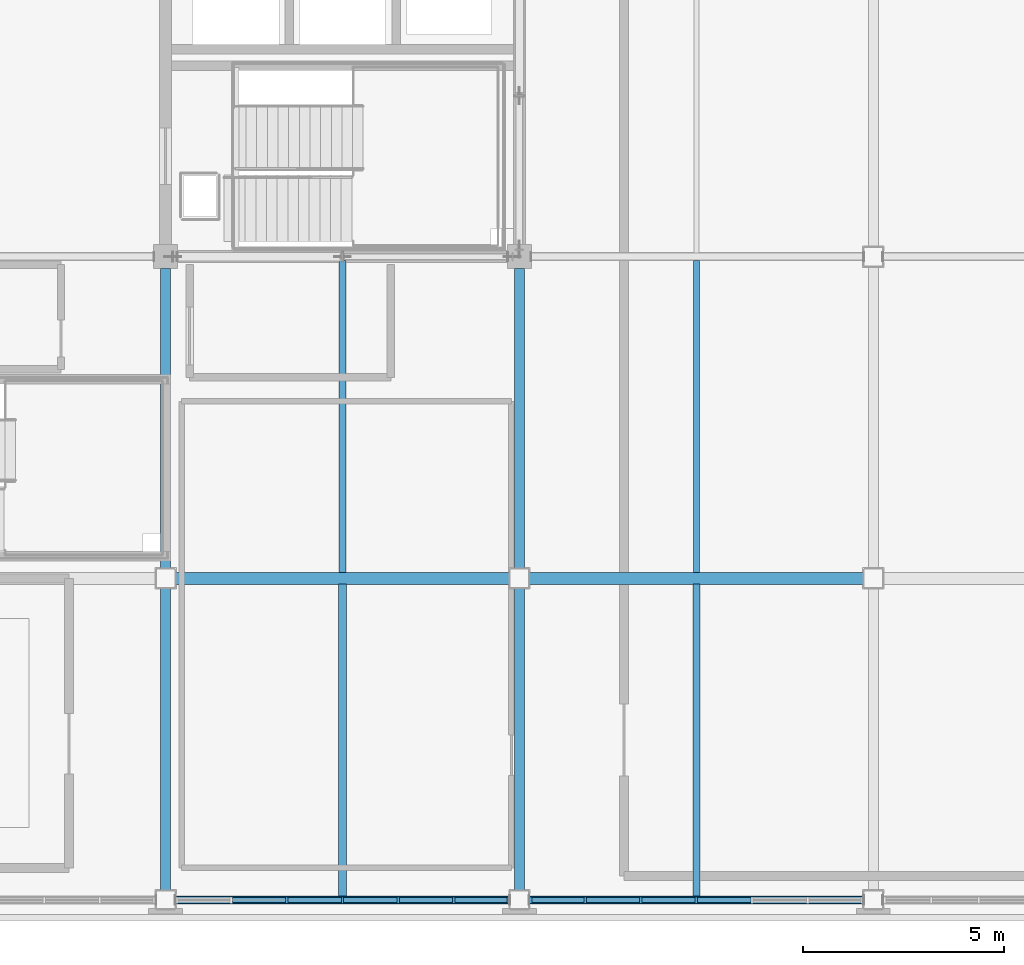
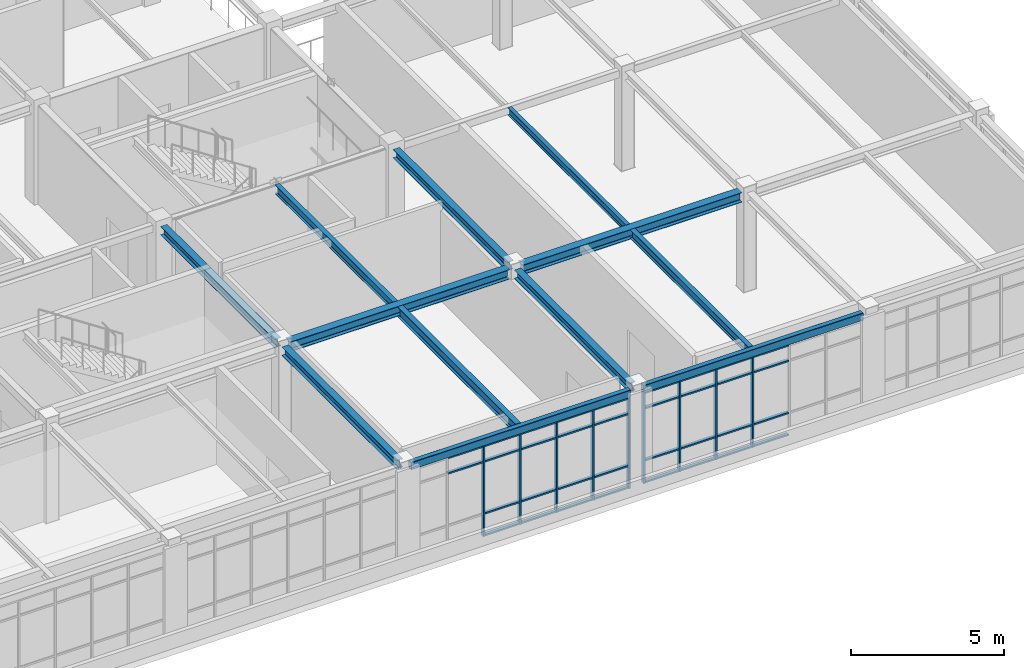
# One storey, part 6 of 45: 43 members, 12 beams, 2 elements without a shape of their own.
"""IFC4 building model written with IfcOpenShell, lengths in metres."""

from ifc_helpers import new_model, si_unit, direction, frame, origin, origin_2d, place, context, subcontext, project, spatial, rectangle, hollow_rectangle, i_section, extrude, material, material_profile, profile_set, type_object, element, aggregate, save


model = new_model("IFC4")

# Units and contexts
model_context = context("Model", 3, precision=1e-05, world=origin(), true_north=direction((0.0, 1.0)))
body_context = subcontext(model_context, "Body", "Model", "MODEL_VIEW")
ifc_project = project(units=[si_unit("LENGTHUNIT", "METRE"), si_unit("AREAUNIT", "SQUARE_METRE"), si_unit("VOLUMEUNIT", "CUBIC_METRE"), si_unit("PLANEANGLEUNIT", "RADIAN"), si_unit("MASSUNIT", "GRAM", prefix="KILO")], contexts=[model_context])

# Site, building, storey
site_placement = place(None, origin())
site = spatial("IfcSite", under=ifc_project, at=site_placement, CompositionType="ELEMENT")
building_placement = place(site_placement, origin())
building = spatial("IfcBuilding", under=site, at=building_placement, Name="Zhaolan Boulevard Law Courts", CompositionType="ELEMENT")
storey_placement = place(building_placement, frame((0.0, 0.0, 24.60009765625)))
storey = spatial("IfcBuildingStorey", under=building, at=storey_placement, Name="L05", CompositionType="ELEMENT", Elevation=24.60009765625)

# Curtain wall, members
ifc_material_1 = material(Name="Thermally broken aluminium and low-E glazing", Category="aluminium")
curtain_wall_type_1 = type_object("IfcCurtainWallType", Name="CURTAIN WALL M12", PredefinedType="USERDEFINED", material=ifc_material_1)
curtain_wall_1_placement = place(storey_placement, origin())
curtain_wall_1 = element("IfcCurtainWall", 1, at=curtain_wall_1_placement, inside=storey, type_object=curtain_wall_type_1, Name="Curtain Wall CW-L05-204", ObjectType="CURTAIN WALL", PredefinedType="USERDEFINED")
ifc_material_2 = material(Name="Fluorocarbon-coated aluminium 6063-T6", Category="aluminium")
ifc_material_profile_1 = material_profile(ifc_material_2, rectangle(XDim=0.159912109375, YDim=0.06005859375, at=origin_2d()), Name="AL60x160")
ifc_profile_set_1 = profile_set([ifc_material_profile_1], Name="Fluorocarbon-coated aluminium 6063-T6")
member_type_1 = type_object("IfcMemberType", Name="CWMULLION 60X160", PredefinedType="MULLION", material=ifc_profile_set_1)
member_1_placement = place(storey_placement, frame((20.617431640625, 30.0, 0.0), z_axis=(0.0, 0.0, 1.0), x_axis=(0.0, 1.0, 0.0)))
member_1 = element("IfcMember", 2, at=member_1_placement, type_object=member_type_1, Name="CW-L05-204 mullion 3", PredefinedType="MULLION", context=body_context, shape_type="SweptSolid", body=[
    extrude(rectangle(XDim=0.159912109375, YDim=0.06005859375, at=origin_2d()), origin(), (0.0, 0.0, 1.0), 3.6328125),
])
member_2_placement = place(storey_placement, frame((22.0, 30.0, 0.0), z_axis=(0.0, 0.0, 1.0), x_axis=(0.0, 1.0, 0.0)))
member_2 = element("IfcMember", 3, at=member_2_placement, type_object=member_type_1, Name="CW-L05-204 mullion 4", PredefinedType="MULLION", context=body_context, shape_type="SweptSolid", body=[
    extrude(rectangle(XDim=0.159912109375, YDim=0.06005859375, at=origin_2d()), origin(), (0.0, 0.0, 1.0), 3.6328125),
])
member_3_placement = place(storey_placement, frame((23.382568359375, 30.0, 0.0), z_axis=(0.0, 0.0, 1.0), x_axis=(0.0, 1.0, 0.0)))
member_3 = element("IfcMember", 4, at=member_3_placement, type_object=member_type_1, Name="CW-L05-204 mullion 5", PredefinedType="MULLION", context=body_context, shape_type="SweptSolid", body=[
    extrude(rectangle(XDim=0.159912109375, YDim=0.06005859375, at=origin_2d()), origin(), (0.0, 0.0, 1.0), 3.6328125),
])
member_4_placement = place(storey_placement, frame((24.765380859375, 30.0, 0.0), z_axis=(0.0, 0.0, 1.0), x_axis=(0.0, 1.0, 0.0)))
member_4 = element("IfcMember", 5, at=member_4_placement, type_object=member_type_1, Name="CW-L05-204 mullion 6", PredefinedType="MULLION", context=body_context, shape_type="SweptSolid", body=[
    extrude(rectangle(XDim=0.159912109375, YDim=0.06005859375, at=origin_2d()), origin(), (0.0, 0.0, 1.0), 3.6328125),
])
member_5_placement = place(storey_placement, frame((26.117919921875, 30.0, 0.0), z_axis=(0.0, 0.0, 1.0), x_axis=(0.0, 1.0, 0.0)))
member_5 = element("IfcMember", 6, at=member_5_placement, type_object=member_type_1, Name="CW-L05-204 mullion 7", PredefinedType="MULLION", context=body_context, shape_type="SweptSolid", body=[
    extrude(rectangle(XDim=0.159912109375, YDim=0.06005859375, at=origin_2d()), origin(), (0.0, 0.0, 1.0), 3.6328125),
])

ifc_material_3 = material(Name="Thermally broken aluminium and low-E glazing", Category="aluminium")
curtain_wall_type_2 = type_object("IfcCurtainWallType", Name="CURTAIN WALL M13", PredefinedType="USERDEFINED", material=ifc_material_3)
curtain_wall_2_placement = place(storey_placement, origin())
curtain_wall_2 = element("IfcCurtainWall", 7, at=curtain_wall_2_placement, inside=storey, type_object=curtain_wall_type_2, Name="Curtain Wall CW-L05-205", ObjectType="CURTAIN WALL", PredefinedType="USERDEFINED")
member_6_placement = place(storey_placement, frame((26.681884765625, 30.0, 0.0), z_axis=(0.0, 0.0, 1.0), x_axis=(0.0, 1.0, 0.0)))
member_6 = element("IfcMember", 8, at=member_6_placement, type_object=member_type_1, Name="CW-L05-205 mullion 1", PredefinedType="MULLION", context=body_context, shape_type="SweptSolid", body=[
    extrude(rectangle(XDim=0.159912109375, YDim=0.06005859375, at=origin_2d()), origin(), (0.0, 0.0, 1.0), 3.6328125),
])
member_7_placement = place(storey_placement, frame((28.03466796875, 30.0, 0.0), z_axis=(0.0, 0.0, 1.0), x_axis=(0.0, 1.0, 0.0)))
member_7 = element("IfcMember", 9, at=member_7_placement, type_object=member_type_1, Name="CW-L05-205 mullion 2", PredefinedType="MULLION", context=body_context, shape_type="SweptSolid", body=[
    extrude(rectangle(XDim=0.159912109375, YDim=0.06005859375, at=origin_2d()), origin(), (0.0, 0.0, 1.0), 3.6328125),
])
member_8_placement = place(storey_placement, frame((29.417236328125, 30.0, 0.0), z_axis=(0.0, 0.0, 1.0), x_axis=(0.0, 1.0, 0.0)))
member_8 = element("IfcMember", 10, at=member_8_placement, type_object=member_type_1, Name="CW-L05-205 mullion 3", PredefinedType="MULLION", context=body_context, shape_type="SweptSolid", body=[
    extrude(rectangle(XDim=0.159912109375, YDim=0.06005859375, at=origin_2d()), origin(), (0.0, 0.0, 1.0), 3.6328125),
])
member_9_placement = place(storey_placement, frame((30.800048828125, 30.0, 0.0), z_axis=(0.0, 0.0, 1.0), x_axis=(0.0, 1.0, 0.0)))
member_9 = element("IfcMember", 11, at=member_9_placement, type_object=member_type_1, Name="CW-L05-205 mullion 4", PredefinedType="MULLION", context=body_context, shape_type="SweptSolid", body=[
    extrude(rectangle(XDim=0.159912109375, YDim=0.06005859375, at=origin_2d()), origin(), (0.0, 0.0, 1.0), 3.6328125),
])

# Member
ifc_material_4 = material(Name="Fluorocarbon-coated aluminium 6063-T6", Category="aluminium")
ifc_material_profile_2 = material_profile(ifc_material_4, rectangle(XDim=0.1201171875, YDim=0.06005859375, at=origin_2d()), Name="AL60x120")
ifc_profile_set_2 = profile_set([ifc_material_profile_2], Name="Fluorocarbon-coated aluminium 6063-T6")
member_type_2 = type_object("IfcMemberType", Name="CWTRANSOM 60X120", PredefinedType="USERDEFINED", material=ifc_profile_set_2)
member_10_placement = place(storey_placement, frame((19.2646484375, 30.0, 2.98291015625), z_axis=(1.0, 0.0, 0.0), x_axis=(0.0, 1.0, 0.0)))
member_10 = element("IfcMember", 12, at=member_10_placement, type_object=member_type_2, Name="CW-L05-204 transom 2.3", ObjectType="TRANSOM", PredefinedType="USERDEFINED", context=body_context, shape_type="SweptSolid", body=[
    extrude(rectangle(XDim=0.1201171875, YDim=0.06005859375, at=origin_2d()), origin(), (0.0, 0.0, 1.0), 1.32275390625),
])

member_11_placement = place(storey_placement, frame((19.2646484375, 30.0, 3.602783203125), z_axis=(1.0, 0.0, 0.0), x_axis=(0.0, 1.0, 0.0)))
member_11 = element("IfcMember", 13, at=member_11_placement, type_object=member_type_2, Name="CW-L05-204 transom 2.4", ObjectType="TRANSOM", PredefinedType="USERDEFINED", context=body_context, shape_type="SweptSolid", body=[
    extrude(rectangle(XDim=0.1201171875, YDim=0.06005859375, at=origin_2d()), origin(), (0.0, 0.0, 1.0), 1.32275390625),
])

member_12_placement = place(storey_placement, frame((20.647216796875, 30.0, 0.02978515625), z_axis=(1.0, 0.0, 0.0), x_axis=(0.0, 1.0, 0.0)))
member_12 = element("IfcMember", 14, at=member_12_placement, type_object=member_type_2, Name="CW-L05-204 transom 3.1", ObjectType="TRANSOM", PredefinedType="USERDEFINED", context=body_context, shape_type="SweptSolid", body=[
    extrude(rectangle(XDim=0.1201171875, YDim=0.06005859375, at=origin_2d()), origin(), (0.0, 0.0, 1.0), 1.32275390625),
])

member_13_placement = place(storey_placement, frame((20.647216796875, 30.0, 0.89990234375), z_axis=(1.0, 0.0, 0.0), x_axis=(0.0, 1.0, 0.0)))
member_13 = element("IfcMember", 15, at=member_13_placement, type_object=member_type_2, Name="CW-L05-204 transom 3.2", ObjectType="TRANSOM", PredefinedType="USERDEFINED", context=body_context, shape_type="SweptSolid", body=[
    extrude(rectangle(XDim=0.1201171875, YDim=0.06005859375, at=origin_2d()), origin(), (0.0, 0.0, 1.0), 1.32275390625),
])

member_14_placement = place(storey_placement, frame((20.647216796875, 30.0, 2.98291015625), z_axis=(1.0, 0.0, 0.0), x_axis=(0.0, 1.0, 0.0)))
member_14 = element("IfcMember", 16, at=member_14_placement, type_object=member_type_2, Name="CW-L05-204 transom 3.3", ObjectType="TRANSOM", PredefinedType="USERDEFINED", context=body_context, shape_type="SweptSolid", body=[
    extrude(rectangle(XDim=0.1201171875, YDim=0.06005859375, at=origin_2d()), origin(), (0.0, 0.0, 1.0), 1.32275390625),
])

member_15_placement = place(storey_placement, frame((20.647216796875, 30.0, 3.602783203125), z_axis=(1.0, 0.0, 0.0), x_axis=(0.0, 1.0, 0.0)))
member_15 = element("IfcMember", 17, at=member_15_placement, type_object=member_type_2, Name="CW-L05-204 transom 3.4", ObjectType="TRANSOM", PredefinedType="USERDEFINED", context=body_context, shape_type="SweptSolid", body=[
    extrude(rectangle(XDim=0.1201171875, YDim=0.06005859375, at=origin_2d()), origin(), (0.0, 0.0, 1.0), 1.32275390625),
])

member_16_placement = place(storey_placement, frame((22.030029296875, 30.0, 0.02978515625), z_axis=(1.0, 0.0, 0.0), x_axis=(0.0, 1.0, 0.0)))
member_16 = element("IfcMember", 18, at=member_16_placement, type_object=member_type_2, Name="CW-L05-204 transom 4.1", ObjectType="TRANSOM", PredefinedType="USERDEFINED", context=body_context, shape_type="SweptSolid", body=[
    extrude(rectangle(XDim=0.1201171875, YDim=0.06005859375, at=origin_2d()), origin(), (0.0, 0.0, 1.0), 1.32275390625),
])

member_17_placement = place(storey_placement, frame((22.030029296875, 30.0, 0.89990234375), z_axis=(1.0, 0.0, 0.0), x_axis=(0.0, 1.0, 0.0)))
member_17 = element("IfcMember", 19, at=member_17_placement, type_object=member_type_2, Name="CW-L05-204 transom 4.2", ObjectType="TRANSOM", PredefinedType="USERDEFINED", context=body_context, shape_type="SweptSolid", body=[
    extrude(rectangle(XDim=0.1201171875, YDim=0.06005859375, at=origin_2d()), origin(), (0.0, 0.0, 1.0), 1.32275390625),
])

member_18_placement = place(storey_placement, frame((22.030029296875, 30.0, 2.98291015625), z_axis=(1.0, 0.0, 0.0), x_axis=(0.0, 1.0, 0.0)))
member_18 = element("IfcMember", 20, at=member_18_placement, type_object=member_type_2, Name="CW-L05-204 transom 4.3", ObjectType="TRANSOM", PredefinedType="USERDEFINED", context=body_context, shape_type="SweptSolid", body=[
    extrude(rectangle(XDim=0.1201171875, YDim=0.06005859375, at=origin_2d()), origin(), (0.0, 0.0, 1.0), 1.32275390625),
])

member_19_placement = place(storey_placement, frame((22.030029296875, 30.0, 3.602783203125), z_axis=(1.0, 0.0, 0.0), x_axis=(0.0, 1.0, 0.0)))
member_19 = element("IfcMember", 21, at=member_19_placement, type_object=member_type_2, Name="CW-L05-204 transom 4.4", ObjectType="TRANSOM", PredefinedType="USERDEFINED", context=body_context, shape_type="SweptSolid", body=[
    extrude(rectangle(XDim=0.1201171875, YDim=0.06005859375, at=origin_2d()), origin(), (0.0, 0.0, 1.0), 1.32275390625),
])

member_20_placement = place(storey_placement, frame((23.41259765625, 30.0, 0.02978515625), z_axis=(1.0, 0.0, 0.0), x_axis=(0.0, 1.0, 0.0)))
member_20 = element("IfcMember", 22, at=member_20_placement, type_object=member_type_2, Name="CW-L05-204 transom 5.1", ObjectType="TRANSOM", PredefinedType="USERDEFINED", context=body_context, shape_type="SweptSolid", body=[
    extrude(rectangle(XDim=0.1201171875, YDim=0.06005859375, at=origin_2d()), origin(), (0.0, 0.0, 1.0), 1.32275390625),
])

member_21_placement = place(storey_placement, frame((23.41259765625, 30.0, 0.89990234375), z_axis=(1.0, 0.0, 0.0), x_axis=(0.0, 1.0, 0.0)))
member_21 = element("IfcMember", 23, at=member_21_placement, type_object=member_type_2, Name="CW-L05-204 transom 5.2", ObjectType="TRANSOM", PredefinedType="USERDEFINED", context=body_context, shape_type="SweptSolid", body=[
    extrude(rectangle(XDim=0.1201171875, YDim=0.06005859375, at=origin_2d()), origin(), (0.0, 0.0, 1.0), 1.32275390625),
])

member_22_placement = place(storey_placement, frame((23.41259765625, 30.0, 2.98291015625), z_axis=(1.0, 0.0, 0.0), x_axis=(0.0, 1.0, 0.0)))
member_22 = element("IfcMember", 24, at=member_22_placement, type_object=member_type_2, Name="CW-L05-204 transom 5.3", ObjectType="TRANSOM", PredefinedType="USERDEFINED", context=body_context, shape_type="SweptSolid", body=[
    extrude(rectangle(XDim=0.1201171875, YDim=0.06005859375, at=origin_2d()), origin(), (0.0, 0.0, 1.0), 1.32275390625),
])

member_23_placement = place(storey_placement, frame((23.41259765625, 30.0, 3.602783203125), z_axis=(1.0, 0.0, 0.0), x_axis=(0.0, 1.0, 0.0)))
member_23 = element("IfcMember", 25, at=member_23_placement, type_object=member_type_2, Name="CW-L05-204 transom 5.4", ObjectType="TRANSOM", PredefinedType="USERDEFINED", context=body_context, shape_type="SweptSolid", body=[
    extrude(rectangle(XDim=0.1201171875, YDim=0.06005859375, at=origin_2d()), origin(), (0.0, 0.0, 1.0), 1.32275390625),
])

member_24_placement = place(storey_placement, frame((24.79541015625, 30.0, 0.02978515625), z_axis=(1.0, 0.0, 0.0), x_axis=(0.0, 1.0, 0.0)))
member_24 = element("IfcMember", 26, at=member_24_placement, type_object=member_type_2, Name="CW-L05-204 transom 6.1", ObjectType="TRANSOM", PredefinedType="USERDEFINED", context=body_context, shape_type="SweptSolid", body=[
    extrude(rectangle(XDim=0.1201171875, YDim=0.06005859375, at=origin_2d()), origin(), (0.0, 0.0, 1.0), 1.29248046875),
])

member_25_placement = place(storey_placement, frame((24.79541015625, 30.0, 0.89990234375), z_axis=(1.0, 0.0, 0.0), x_axis=(0.0, 1.0, 0.0)))
member_25 = element("IfcMember", 27, at=member_25_placement, type_object=member_type_2, Name="CW-L05-204 transom 6.2", ObjectType="TRANSOM", PredefinedType="USERDEFINED", context=body_context, shape_type="SweptSolid", body=[
    extrude(rectangle(XDim=0.1201171875, YDim=0.06005859375, at=origin_2d()), origin(), (0.0, 0.0, 1.0), 1.29248046875),
])

member_26_placement = place(storey_placement, frame((24.79541015625, 30.0, 2.98291015625), z_axis=(1.0, 0.0, 0.0), x_axis=(0.0, 1.0, 0.0)))
member_26 = element("IfcMember", 28, at=member_26_placement, type_object=member_type_2, Name="CW-L05-204 transom 6.3", ObjectType="TRANSOM", PredefinedType="USERDEFINED", context=body_context, shape_type="SweptSolid", body=[
    extrude(rectangle(XDim=0.1201171875, YDim=0.06005859375, at=origin_2d()), origin(), (0.0, 0.0, 1.0), 1.29248046875),
])

member_27_placement = place(storey_placement, frame((24.79541015625, 30.0, 3.602783203125), z_axis=(1.0, 0.0, 0.0), x_axis=(0.0, 1.0, 0.0)))
member_27 = element("IfcMember", 29, at=member_27_placement, type_object=member_type_2, Name="CW-L05-204 transom 6.4", ObjectType="TRANSOM", PredefinedType="USERDEFINED", context=body_context, shape_type="SweptSolid", body=[
    extrude(rectangle(XDim=0.1201171875, YDim=0.06005859375, at=origin_2d()), origin(), (0.0, 0.0, 1.0), 1.29248046875),
])

aggregate(curtain_wall_1, [member_1, member_2, member_3, member_4, member_5, member_10, member_11, member_12, member_13, member_14, member_15, member_16, member_17, member_18, member_19, member_20, member_21, member_22, member_23, member_24, member_25, member_26, member_27])

member_28_placement = place(storey_placement, frame((26.7119140625, 30.0, 0.02978515625), z_axis=(1.0, 0.0, 0.0), x_axis=(0.0, 1.0, 0.0)))
member_28 = element("IfcMember", 30, at=member_28_placement, type_object=member_type_2, Name="CW-L05-205 transom 1.1", ObjectType="TRANSOM", PredefinedType="USERDEFINED", context=body_context, shape_type="SweptSolid", body=[
    extrude(rectangle(XDim=0.1201171875, YDim=0.06005859375, at=origin_2d()), origin(), (0.0, 0.0, 1.0), 1.292724609375),
])

member_29_placement = place(storey_placement, frame((26.7119140625, 30.0, 0.89990234375), z_axis=(1.0, 0.0, 0.0), x_axis=(0.0, 1.0, 0.0)))
member_29 = element("IfcMember", 31, at=member_29_placement, type_object=member_type_2, Name="CW-L05-205 transom 1.2", ObjectType="TRANSOM", PredefinedType="USERDEFINED", context=body_context, shape_type="SweptSolid", body=[
    extrude(rectangle(XDim=0.1201171875, YDim=0.06005859375, at=origin_2d()), origin(), (0.0, 0.0, 1.0), 1.292724609375),
])

member_30_placement = place(storey_placement, frame((26.7119140625, 30.0, 2.98291015625), z_axis=(1.0, 0.0, 0.0), x_axis=(0.0, 1.0, 0.0)))
member_30 = element("IfcMember", 32, at=member_30_placement, type_object=member_type_2, Name="CW-L05-205 transom 1.3", ObjectType="TRANSOM", PredefinedType="USERDEFINED", context=body_context, shape_type="SweptSolid", body=[
    extrude(rectangle(XDim=0.1201171875, YDim=0.06005859375, at=origin_2d()), origin(), (0.0, 0.0, 1.0), 1.292724609375),
])

member_31_placement = place(storey_placement, frame((26.7119140625, 30.0, 3.602783203125), z_axis=(1.0, 0.0, 0.0), x_axis=(0.0, 1.0, 0.0)))
member_31 = element("IfcMember", 33, at=member_31_placement, type_object=member_type_2, Name="CW-L05-205 transom 1.4", ObjectType="TRANSOM", PredefinedType="USERDEFINED", context=body_context, shape_type="SweptSolid", body=[
    extrude(rectangle(XDim=0.1201171875, YDim=0.06005859375, at=origin_2d()), origin(), (0.0, 0.0, 1.0), 1.292724609375),
])

member_32_placement = place(storey_placement, frame((28.064697265625, 30.0, 0.02978515625), z_axis=(1.0, 0.0, 0.0), x_axis=(0.0, 1.0, 0.0)))
member_32 = element("IfcMember", 34, at=member_32_placement, type_object=member_type_2, Name="CW-L05-205 transom 2.1", ObjectType="TRANSOM", PredefinedType="USERDEFINED", context=body_context, shape_type="SweptSolid", body=[
    extrude(rectangle(XDim=0.1201171875, YDim=0.06005859375, at=origin_2d()), origin(), (0.0, 0.0, 1.0), 1.32275390625),
])

member_33_placement = place(storey_placement, frame((28.064697265625, 30.0, 0.89990234375), z_axis=(1.0, 0.0, 0.0), x_axis=(0.0, 1.0, 0.0)))
member_33 = element("IfcMember", 35, at=member_33_placement, type_object=member_type_2, Name="CW-L05-205 transom 2.2", ObjectType="TRANSOM", PredefinedType="USERDEFINED", context=body_context, shape_type="SweptSolid", body=[
    extrude(rectangle(XDim=0.1201171875, YDim=0.06005859375, at=origin_2d()), origin(), (0.0, 0.0, 1.0), 1.32275390625),
])

member_34_placement = place(storey_placement, frame((28.064697265625, 30.0, 2.98291015625), z_axis=(1.0, 0.0, 0.0), x_axis=(0.0, 1.0, 0.0)))
member_34 = element("IfcMember", 36, at=member_34_placement, type_object=member_type_2, Name="CW-L05-205 transom 2.3", ObjectType="TRANSOM", PredefinedType="USERDEFINED", context=body_context, shape_type="SweptSolid", body=[
    extrude(rectangle(XDim=0.1201171875, YDim=0.06005859375, at=origin_2d()), origin(), (0.0, 0.0, 1.0), 1.32275390625),
])

member_35_placement = place(storey_placement, frame((28.064697265625, 30.0, 3.602783203125), z_axis=(1.0, 0.0, 0.0), x_axis=(0.0, 1.0, 0.0)))
member_35 = element("IfcMember", 37, at=member_35_placement, type_object=member_type_2, Name="CW-L05-205 transom 2.4", ObjectType="TRANSOM", PredefinedType="USERDEFINED", context=body_context, shape_type="SweptSolid", body=[
    extrude(rectangle(XDim=0.1201171875, YDim=0.06005859375, at=origin_2d()), origin(), (0.0, 0.0, 1.0), 1.32275390625),
])

member_36_placement = place(storey_placement, frame((29.447265625, 30.0, 0.02978515625), z_axis=(1.0, 0.0, 0.0), x_axis=(0.0, 1.0, 0.0)))
member_36 = element("IfcMember", 38, at=member_36_placement, type_object=member_type_2, Name="CW-L05-205 transom 3.1", ObjectType="TRANSOM", PredefinedType="USERDEFINED", context=body_context, shape_type="SweptSolid", body=[
    extrude(rectangle(XDim=0.1201171875, YDim=0.06005859375, at=origin_2d()), origin(), (0.0, 0.0, 1.0), 1.32275390625),
])

member_37_placement = place(storey_placement, frame((29.447265625, 30.0, 0.89990234375), z_axis=(1.0, 0.0, 0.0), x_axis=(0.0, 1.0, 0.0)))
member_37 = element("IfcMember", 39, at=member_37_placement, type_object=member_type_2, Name="CW-L05-205 transom 3.2", ObjectType="TRANSOM", PredefinedType="USERDEFINED", context=body_context, shape_type="SweptSolid", body=[
    extrude(rectangle(XDim=0.1201171875, YDim=0.06005859375, at=origin_2d()), origin(), (0.0, 0.0, 1.0), 1.32275390625),
])

member_38_placement = place(storey_placement, frame((29.447265625, 30.0, 2.98291015625), z_axis=(1.0, 0.0, 0.0), x_axis=(0.0, 1.0, 0.0)))
member_38 = element("IfcMember", 40, at=member_38_placement, type_object=member_type_2, Name="CW-L05-205 transom 3.3", ObjectType="TRANSOM", PredefinedType="USERDEFINED", context=body_context, shape_type="SweptSolid", body=[
    extrude(rectangle(XDim=0.1201171875, YDim=0.06005859375, at=origin_2d()), origin(), (0.0, 0.0, 1.0), 1.32275390625),
])

member_39_placement = place(storey_placement, frame((29.447265625, 30.0, 3.602783203125), z_axis=(1.0, 0.0, 0.0), x_axis=(0.0, 1.0, 0.0)))
member_39 = element("IfcMember", 41, at=member_39_placement, type_object=member_type_2, Name="CW-L05-205 transom 3.4", ObjectType="TRANSOM", PredefinedType="USERDEFINED", context=body_context, shape_type="SweptSolid", body=[
    extrude(rectangle(XDim=0.1201171875, YDim=0.06005859375, at=origin_2d()), origin(), (0.0, 0.0, 1.0), 1.32275390625),
])

member_40_placement = place(storey_placement, frame((30.830078125, 30.0, 0.02978515625), z_axis=(1.0, 0.0, 0.0), x_axis=(0.0, 1.0, 0.0)))
member_40 = element("IfcMember", 42, at=member_40_placement, type_object=member_type_2, Name="CW-L05-205 transom 4.1", ObjectType="TRANSOM", PredefinedType="USERDEFINED", context=body_context, shape_type="SweptSolid", body=[
    extrude(rectangle(XDim=0.1201171875, YDim=0.06005859375, at=origin_2d()), origin(), (0.0, 0.0, 1.0), 1.322509765625),
])

member_41_placement = place(storey_placement, frame((30.830078125, 30.0, 0.89990234375), z_axis=(1.0, 0.0, 0.0), x_axis=(0.0, 1.0, 0.0)))
member_41 = element("IfcMember", 43, at=member_41_placement, type_object=member_type_2, Name="CW-L05-205 transom 4.2", ObjectType="TRANSOM", PredefinedType="USERDEFINED", context=body_context, shape_type="SweptSolid", body=[
    extrude(rectangle(XDim=0.1201171875, YDim=0.06005859375, at=origin_2d()), origin(), (0.0, 0.0, 1.0), 1.322509765625),
])

member_42_placement = place(storey_placement, frame((30.830078125, 30.0, 2.98291015625), z_axis=(1.0, 0.0, 0.0), x_axis=(0.0, 1.0, 0.0)))
member_42 = element("IfcMember", 44, at=member_42_placement, type_object=member_type_2, Name="CW-L05-205 transom 4.3", ObjectType="TRANSOM", PredefinedType="USERDEFINED", context=body_context, shape_type="SweptSolid", body=[
    extrude(rectangle(XDim=0.1201171875, YDim=0.06005859375, at=origin_2d()), origin(), (0.0, 0.0, 1.0), 1.322509765625),
])

member_43_placement = place(storey_placement, frame((30.830078125, 30.0, 3.602783203125), z_axis=(1.0, 0.0, 0.0), x_axis=(0.0, 1.0, 0.0)))
member_43 = element("IfcMember", 45, at=member_43_placement, type_object=member_type_2, Name="CW-L05-205 transom 4.4", ObjectType="TRANSOM", PredefinedType="USERDEFINED", context=body_context, shape_type="SweptSolid", body=[
    extrude(rectangle(XDim=0.1201171875, YDim=0.06005859375, at=origin_2d()), origin(), (0.0, 0.0, 1.0), 1.322509765625),
])

aggregate(curtain_wall_2, [member_6, member_7, member_8, member_9, member_28, member_29, member_30, member_31, member_32, member_33, member_34, member_35, member_36, member_37, member_38, member_39, member_40, member_41, member_42, member_43])

# Beams
ifc_material_5 = material(Name="Structural steel Q355B", Category="steel")
ifc_material_profile_3 = material_profile(ifc_material_5, i_section(OverallWidth=0.25, OverallDepth=0.340087890625, WebThickness=0.009033203125, FlangeThickness=0.013916015625, FilletRadius=0.01611328125, at=origin_2d()), Name="HM340x250")
ifc_profile_set_3 = profile_set([ifc_material_profile_3], Name="Structural steel Q355B")
beam_type_1 = type_object("IfcBeamType", Name="GIRDER HM340", PredefinedType="BEAM", material=ifc_profile_set_3)
beam_1_placement = place(storey_placement, frame((17.60009765625, 30.24609375, 3.77783203125), z_axis=(0.0, 1.0, 0.0), x_axis=(-1.0, 0.0, 0.0)))
element("IfcBeam", 46, at=beam_1_placement, inside=storey, type_object=beam_type_1, Name="Beam BY-L06-3-E-F", PredefinedType="BEAM", context=body_context, shape_type="SweptSolid", body=[
    extrude(i_section(OverallWidth=0.25, OverallDepth=0.340087890625, WebThickness=0.009033203125, FlangeThickness=0.013916015625, FilletRadius=0.01611328125, at=origin_2d()), origin(), (0.0, 0.0, 1.0), 7.5078125),
])
beam_2_placement = place(storey_placement, frame((17.60009765625, 38.24609375, 3.77783203125), z_axis=(0.0, 1.0, 0.0), x_axis=(-1.0, 0.0, 0.0)))
element("IfcBeam", 47, at=beam_2_placement, inside=storey, type_object=beam_type_1, Name="Beam BY-L06-3-F-G", PredefinedType="BEAM", context=body_context, shape_type="SweptSolid", body=[
    extrude(i_section(OverallWidth=0.25, OverallDepth=0.340087890625, WebThickness=0.009033203125, FlangeThickness=0.013916015625, FilletRadius=0.01611328125, at=origin_2d()), origin(), (0.0, 0.0, 1.0), 7.4580078125),
])
beam_3_placement = place(storey_placement, frame((26.39990234375, 30.24609375, 3.77783203125), z_axis=(0.0, 1.0, 0.0), x_axis=(-1.0, 0.0, 0.0)))
element("IfcBeam", 48, at=beam_3_placement, inside=storey, type_object=beam_type_1, Name="Beam BY-L06-4-E-F", PredefinedType="BEAM", context=body_context, shape_type="SweptSolid", body=[
    extrude(i_section(OverallWidth=0.25, OverallDepth=0.340087890625, WebThickness=0.009033203125, FlangeThickness=0.013916015625, FilletRadius=0.01611328125, at=origin_2d()), origin(), (0.0, 0.0, 1.0), 7.5078125),
])
beam_4_placement = place(storey_placement, frame((26.39990234375, 38.24609375, 3.77783203125), z_axis=(0.0, 1.0, 0.0), x_axis=(-1.0, 0.0, 0.0)))
element("IfcBeam", 49, at=beam_4_placement, inside=storey, type_object=beam_type_1, Name="Beam BY-L06-4-F-G", PredefinedType="BEAM", context=body_context, shape_type="SweptSolid", body=[
    extrude(i_section(OverallWidth=0.25, OverallDepth=0.340087890625, WebThickness=0.009033203125, FlangeThickness=0.013916015625, FilletRadius=0.01611328125, at=origin_2d()), origin(), (0.0, 0.0, 1.0), 7.4580078125),
])
ifc_material_6 = material(Name="Structural steel Q355B", Category="steel")
ifc_material_profile_4 = material_profile(ifc_material_6, i_section(OverallWidth=0.300048828125, OverallDepth=0.389892578125, WebThickness=0.010009765625, FlangeThickness=0.01611328125, FilletRadius=0.01806640625, at=origin_2d()), Name="HM390x300")
ifc_profile_set_4 = profile_set([ifc_material_profile_4], Name="Structural steel Q355B")
beam_type_2 = type_object("IfcBeamType", Name="GIRDER HM390", PredefinedType="BEAM", material=ifc_profile_set_4)
for number, where, z_axis, x_axis, name in (
    (50, (17.845947265625, 38.0, 3.7529296875), (1.0, 0.0, 0.0), (0.0, 1.0, 0.0), "Beam BX-L06-3-4-F"),
    (51, (26.64599609375, 38.0, 3.7529296875), (1.0, 0.0, 0.0), (0.0, 1.0, 0.0), "Beam BX-L06-4-5-F"),
):
    element("IfcBeam", number, at=place(storey_placement, frame(where, z_axis=z_axis, x_axis=x_axis)), inside=storey, type_object=beam_type_2, Name=name, PredefinedType="BEAM", context=body_context, shape_type="SweptSolid", body=[
        extrude(i_section(OverallWidth=0.300048828125, OverallDepth=0.389892578125, WebThickness=0.010009765625, FlangeThickness=0.01611328125, FilletRadius=0.01806640625, at=origin_2d()), origin(), (0.0, 0.0, 1.0), 8.30810546875),
    ])
ifc_material_7 = material(Name="Structural steel Q355B", Category="steel")
ifc_material_profile_5 = material_profile(ifc_material_7, i_section(OverallWidth=0.14990234375, OverallDepth=0.300048828125, WebThickness=0.006591796875, FlangeThickness=0.009033203125, FilletRadius=0.010986328125, at=origin_2d()), Name="HN300x150")
ifc_profile_set_5 = profile_set([ifc_material_profile_5], Name="Structural steel Q355B")
beam_type_3 = type_object("IfcBeamType", Name="JOIST HN300", PredefinedType="JOIST", material=ifc_profile_set_5)
beam_5_placement = place(storey_placement, frame((30.800048828125, 38.14599609375, 3.7978515625), z_axis=(0.0, 1.0, 0.0), x_axis=(-1.0, 0.0, 0.0)))
element("IfcBeam", 52, at=beam_5_placement, inside=storey, type_object=beam_type_3, Name="Composite Joist J-L06-4F", PredefinedType="JOIST", context=body_context, shape_type="SweptSolid", body=[
    extrude(i_section(OverallWidth=0.14990234375, OverallDepth=0.300048828125, WebThickness=0.006591796875, FlangeThickness=0.009033203125, FilletRadius=0.010986328125, at=origin_2d()), origin(), (0.0, 0.0, 1.0), 7.758056640625),
])
ifc_material_8 = material(Name="Structural steel Q355B", Category="steel")
ifc_material_profile_6 = material_profile(ifc_material_8, i_section(OverallWidth=0.175048828125, OverallDepth=0.35009765625, WebThickness=0.007080078125, FlangeThickness=0.010986328125, FilletRadius=0.012939453125, at=origin_2d()), Name="HN350x175")
ifc_profile_set_6 = profile_set([ifc_material_profile_6], Name="Structural steel Q355B")
beam_type_4 = type_object("IfcBeamType", Name="JOIST HN350", PredefinedType="JOIST", material=ifc_profile_set_6)
for number, where, z_axis, x_axis, name in (
    (53, (22.0, 38.14599609375, 3.77294921875), (0.0, 1.0, 0.0), (-1.0, 0.0, 0.0), "Composite Joist J-L06-3F"),
    (54, (30.800048828125, 30.095947265625, 3.77294921875), (0.0, 1.0, 0.0), (-1.0, 0.0, 0.0), "Composite Joist J-L06-4E"),
):
    element("IfcBeam", number, at=place(storey_placement, frame(where, z_axis=z_axis, x_axis=x_axis)), inside=storey, type_object=beam_type_4, Name=name, PredefinedType="JOIST", context=body_context, shape_type="SweptSolid", body=[
        extrude(i_section(OverallWidth=0.175048828125, OverallDepth=0.35009765625, WebThickness=0.007080078125, FlangeThickness=0.010986328125, FilletRadius=0.012939453125, at=origin_2d()), origin(), (0.0, 0.0, 1.0), 7.758056640625),
    ])
ifc_material_9 = material(Name="Structural steel Q355B", Category="steel")
ifc_material_profile_7 = material_profile(ifc_material_9, i_section(OverallWidth=0.199951171875, OverallDepth=0.39990234375, WebThickness=0.008056640625, FlangeThickness=0.012939453125, FilletRadius=0.013916015625, at=origin_2d()), Name="HN400x200")
ifc_profile_set_7 = profile_set([ifc_material_profile_7], Name="Structural steel Q355B")
beam_type_5 = type_object("IfcBeamType", Name="JOIST HN400", PredefinedType="JOIST", material=ifc_profile_set_7)
beam_6_placement = place(storey_placement, frame((22.0, 30.095947265625, 3.747802734375), z_axis=(0.0, 1.0, 0.0), x_axis=(-1.0, 0.0, 0.0)))
element("IfcBeam", 55, at=beam_6_placement, inside=storey, type_object=beam_type_5, Name="Composite Joist J-L06-3E", PredefinedType="JOIST", context=body_context, shape_type="SweptSolid", body=[
    extrude(i_section(OverallWidth=0.199951171875, OverallDepth=0.39990234375, WebThickness=0.008056640625, FlangeThickness=0.012939453125, FilletRadius=0.013916015625, at=origin_2d()), origin(), (0.0, 0.0, 1.0), 7.758056640625),
])
ifc_material_10 = material(Name="Structural steel Q355B", Category="steel")
ifc_material_profile_8 = material_profile(ifc_material_10, hollow_rectangle(XDim=0.199951171875, YDim=0.300048828125, WallThickness=0.011962890625, InnerFilletRadius=0.011962890625, OuterFilletRadius=0.02392578125, at=origin_2d()), Name="HSS300x200x12")
ifc_profile_set_8 = profile_set([ifc_material_profile_8], Name="Structural steel Q355B")
beam_type_6 = type_object("IfcBeamType", Name="SPANDREL HSS300", PredefinedType="SPANDREL", material=ifc_profile_set_8)
for number, where, z_axis, x_axis, name in (
    (56, (17.845947265625, 30.0, 3.7978515625), (1.0, 0.0, 0.0), (0.0, 1.0, 0.0), "Beam BX-L06-3-4-E"),
    (57, (26.64599609375, 30.0, 3.7978515625), (1.0, 0.0, 0.0), (0.0, 1.0, 0.0), "Beam BX-L06-4-5-E"),
):
    element("IfcBeam", number, at=place(storey_placement, frame(where, z_axis=z_axis, x_axis=x_axis)), inside=storey, type_object=beam_type_6, Name=name, PredefinedType="SPANDREL", context=body_context, shape_type="SweptSolid", body=[
        extrude(hollow_rectangle(XDim=0.199951171875, YDim=0.300048828125, WallThickness=0.011962890625, InnerFilletRadius=0.011962890625, OuterFilletRadius=0.02392578125, at=origin_2d()), origin(), (0.0, 0.0, 1.0), 8.30810546875),
    ])

save(model, "model.ifc")
